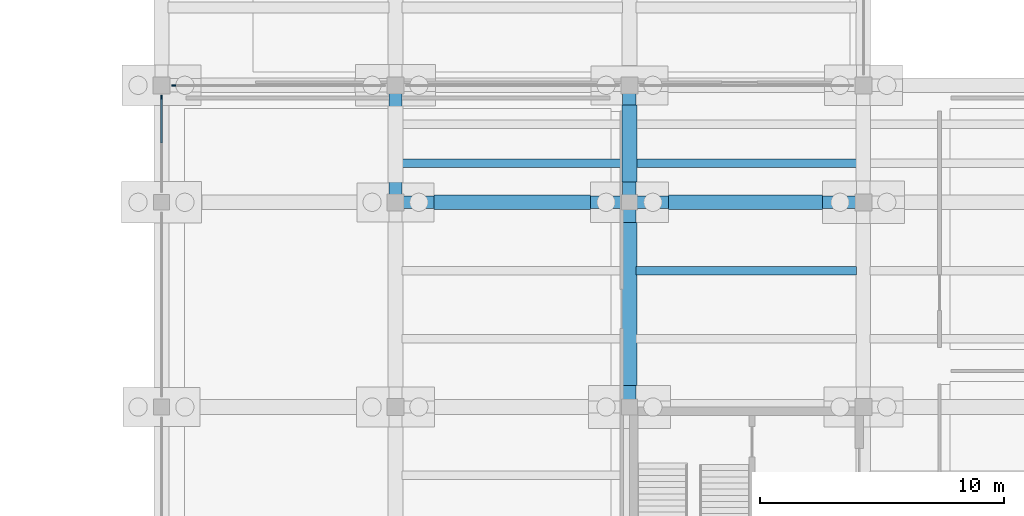
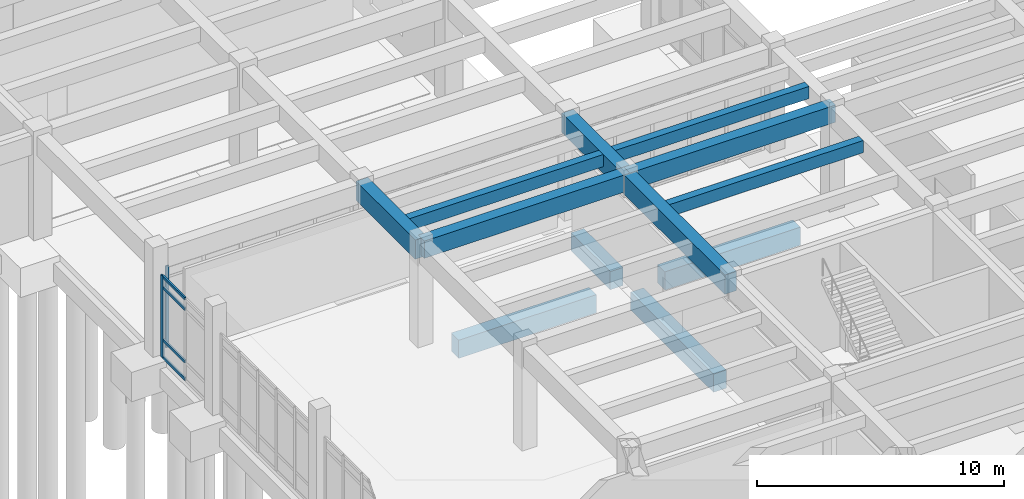
# One storey, part 50 of 102: 12 beams, 6 members, 2 elements without a shape of their own.
"""IFC4 building model written with IfcOpenShell, lengths in metres."""

from ifc_helpers import new_model, si_unit, direction, frame, origin, origin_2d, place, context, subcontext, project, spatial, rectangle, extrude, material, layer, layer_set, material_profile, profile_set, type_object, element, aggregate, save


model = new_model("IFC4")

# Units and contexts
model_context = context("Model", 3, precision=1e-05, world=origin(), true_north=direction((0.0, 1.0)))
body_context = subcontext(model_context, "Body", "Model", "MODEL_VIEW")
ifc_project = project(units=[si_unit("LENGTHUNIT", "METRE"), si_unit("AREAUNIT", "SQUARE_METRE"), si_unit("VOLUMEUNIT", "CUBIC_METRE"), si_unit("PLANEANGLEUNIT", "RADIAN"), si_unit("MASSUNIT", "GRAM", prefix="KILO")], contexts=[model_context])

# Site, building, storey
site_placement = place(None, origin())
site = spatial("IfcSite", under=ifc_project, at=site_placement, CompositionType="ELEMENT")
building_placement = place(site_placement, origin())
building = spatial("IfcBuilding", under=site, at=building_placement, Name="Kolvemor Railside Polytechnic", CompositionType="ELEMENT")
storey_placement = place(building_placement, origin())
storey = spatial("IfcBuildingStorey", under=building, at=storey_placement, Name="L00", CompositionType="ELEMENT", Elevation=0.0)

# Beams
ifc_material_1 = material(Name="Concrete C40/50", Category="concrete")
ifc_material_profile_1 = material_profile(ifc_material_1, rectangle(XDim=0.550048828125, YDim=0.949951171875, at=origin_2d()), Name="RC550x950")
ifc_profile_set_1 = profile_set([ifc_material_profile_1], Name="Concrete C40/50")
beam_type_1 = type_object("IfcBeamType", Name="BM-RC-GIRD", PredefinedType="BEAM", material=ifc_profile_set_1)
beam_1_placement = place(storey_placement, frame((144.0, 76.800048828125, 4.635009765625), z_axis=(0.0, 1.0, 0.0), x_axis=(-1.0, 0.0, 0.0)))
element("IfcBeam", 1, at=beam_1_placement, inside=storey, type_object=beam_type_1, Name="Primary Girder L01-GY 0386", PredefinedType="BEAM", context=body_context, shape_type="SweptSolid", body=[
    extrude(rectangle(XDim=0.550048828125, YDim=0.949951171875, at=origin_2d()), origin(), (0.0, 0.0, 1.0), 4.800048828125),
])
beam_2_placement = place(storey_placement, frame((153.60009765625, 68.39990234375, 4.635009765625), z_axis=(0.0, 1.0, 0.0), x_axis=(-1.0, 0.0, 0.0)))
element("IfcBeam", 2, at=beam_2_placement, inside=storey, type_object=beam_type_1, Name="Primary Girder L01-GY 0394", PredefinedType="BEAM", context=body_context, shape_type="SweptSolid", body=[
    extrude(rectangle(XDim=0.550048828125, YDim=0.949951171875, at=origin_2d()), origin(), (0.0, 0.0, 1.0), 8.400146484375),
])
beam_3_placement = place(storey_placement, frame((153.60009765625, 76.800048828125, 4.635009765625), z_axis=(0.0, 1.0, 0.0), x_axis=(-1.0, 0.0, 0.0)))
element("IfcBeam", 3, at=beam_3_placement, inside=storey, type_object=beam_type_1, Name="Primary Girder L01-GY 0395", PredefinedType="BEAM", context=body_context, shape_type="SweptSolid", body=[
    extrude(rectangle(XDim=0.550048828125, YDim=0.949951171875, at=origin_2d()), origin(), (0.0, 0.0, 1.0), 4.800048828125),
])
ifc_material_2 = material(Name="Concrete C40/50", Category="concrete")
ifc_material_profile_2 = material_profile(ifc_material_2, rectangle(XDim=0.5, YDim=0.85009765625, at=origin_2d()), Name="RC500x850")
ifc_profile_set_2 = profile_set([ifc_material_profile_2], Name="Concrete C40/50")
beam_type_2 = type_object("IfcBeamType", Name="BM-RC-GIRD3", PredefinedType="BEAM", material=ifc_profile_set_2)
beam_4_placement = place(storey_placement, frame((144.0, 76.800048828125, 4.68505859375), z_axis=(1.0, 0.0, 0.0), x_axis=(0.0, 1.0, 0.0)))
element("IfcBeam", 4, at=beam_4_placement, inside=storey, type_object=beam_type_2, Name="Primary Girder L01-GX 0370", PredefinedType="BEAM", context=body_context, shape_type="SweptSolid", body=[
    extrude(rectangle(XDim=0.5, YDim=0.85009765625, at=origin_2d()), origin(), (0.0, 0.0, 1.0), 9.60009765625),
])
beam_5_placement = place(storey_placement, frame((153.60009765625, 76.800048828125, 4.68505859375), z_axis=(1.0, 0.0, 0.0), x_axis=(0.0, 1.0, 0.0)))
element("IfcBeam", 5, at=beam_5_placement, inside=storey, type_object=beam_type_2, Name="Primary Girder L01-GX 0371", PredefinedType="BEAM", context=body_context, shape_type="SweptSolid", body=[
    extrude(rectangle(XDim=0.5, YDim=0.85009765625, at=origin_2d()), origin(), (0.0, 0.0, 1.0), 9.599853515625),
])
ifc_material_3 = material(Name="Concrete C40/50", Category="concrete")
ifc_material_profile_3 = material_profile(ifc_material_3, rectangle(XDim=0.35009765625, YDim=0.60009765625, at=origin_2d()), Name="RC350x600")
ifc_profile_set_3 = profile_set([ifc_material_profile_3], Name="Concrete C40/50")
beam_type_3 = type_object("IfcBeamType", Name="BM-RC-SEC3", PredefinedType="JOIST", material=ifc_profile_set_3)
for number, where, z_axis, x_axis, name in (
    (6, (144.27490234375, 78.39990234375, 4.81005859375), (1.0, 0.0, 0.0), (0.0, 1.0, 0.0), "Floor Joist L01-J0439"),
    (7, (153.875, 74.0, 4.81005859375), (1.0, 0.0, 0.0), (0.0, 1.0, 0.0), "Floor Joist L01-J0452"),
    (8, (153.875, 78.39990234375, 4.81005859375), (1.0, 0.0, 0.0), (0.0, 1.0, 0.0), "Floor Joist L01-J0453"),
):
    element("IfcBeam", number, at=place(storey_placement, frame(where, z_axis=z_axis, x_axis=x_axis)), inside=storey, type_object=beam_type_3, Name=name, PredefinedType="JOIST", context=body_context, shape_type="SweptSolid", body=[
        extrude(rectangle(XDim=0.35009765625, YDim=0.60009765625, at=origin_2d()), origin(), (0.0, 0.0, 1.0), 9.050048828125),
    ])
ifc_material_4 = material(Name="Concrete C40/50", Category="concrete")
ifc_material_profile_4 = material_profile(ifc_material_4, rectangle(XDim=0.60009765625, YDim=0.89990234375, at=origin_2d()), Name="RC600x900")
ifc_profile_set_4 = profile_set([ifc_material_profile_4], Name="Concrete C40/50")
beam_type_4 = type_object("IfcBeamType", Name="BM-RC-TIE", PredefinedType="BEAM", material=ifc_profile_set_4)
beam_6_placement = place(storey_placement, frame((145.576904296875, 76.800048828125, -0.75), z_axis=(1.0, 0.0, 0.0), x_axis=(0.0, 1.0, 0.0)))
element("IfcBeam", 9, at=beam_6_placement, inside=storey, type_object=beam_type_4, Name="Ground Tie Beam GTB-X171", PredefinedType="BEAM", context=body_context, shape_type="SweptSolid", body=[
    extrude(rectangle(XDim=0.60009765625, YDim=0.89990234375, at=origin_2d()), origin(), (0.0, 0.0, 1.0), 6.421142578125),
])
beam_7_placement = place(storey_placement, frame((155.201904296875, 76.800048828125, -0.75), z_axis=(1.0, 0.0, 0.0), x_axis=(0.0, 1.0, 0.0)))
element("IfcBeam", 10, at=beam_7_placement, inside=storey, type_object=beam_type_4, Name="Ground Tie Beam GTB-X172", PredefinedType="BEAM", context=body_context, shape_type="SweptSolid", body=[
    extrude(rectangle(XDim=0.60009765625, YDim=0.89990234375, at=origin_2d()), origin(), (0.0, 0.0, 1.0), 6.321044921875),
])
beam_8_placement = place(storey_placement, frame((153.60009765625, 69.277099609375, -0.75), z_axis=(0.0, 1.0, 0.0), x_axis=(-1.0, 0.0, 0.0)))
element("IfcBeam", 11, at=beam_8_placement, inside=storey, type_object=beam_type_4, Name="Ground Tie Beam GTB-Y412", PredefinedType="BEAM", context=body_context, shape_type="SweptSolid", body=[
    extrude(rectangle(XDim=0.60009765625, YDim=0.89990234375, at=origin_2d()), origin(), (0.0, 0.0, 1.0), 6.69580078125),
])
beam_9_placement = place(storey_placement, frame((153.60009765625, 77.626953125, -0.75), z_axis=(0.0, 1.0, 0.0), x_axis=(-1.0, 0.0, 0.0)))
element("IfcBeam", 12, at=beam_9_placement, inside=storey, type_object=beam_type_4, Name="Ground Tie Beam GTB-Y413", PredefinedType="BEAM", context=body_context, shape_type="SweptSolid", body=[
    extrude(rectangle(XDim=0.60009765625, YDim=0.89990234375, at=origin_2d()), origin(), (0.0, 0.0, 1.0), 3.171142578125),
])

# Curtain wall, member
ifc_material_5 = material(Name="Anodised marine aluminium and laminated low-E glass", Category="aluminium")
ifc_layer = layer(ifc_material_5, 0.179931640625, Name="CW-UNIT-STD")
ifc_layer_set = layer_set([ifc_layer], Name="Anodised marine aluminium and laminated low-E glass")
curtain_wall_type = type_object("IfcCurtainWallType", Name="CW-UNIT-STD", PredefinedType="USERDEFINED", material=ifc_layer_set)
curtain_wall_1_placement = place(storey_placement, origin())
curtain_wall_1 = element("IfcCurtainWall", 13, at=curtain_wall_1_placement, inside=storey, type_object=curtain_wall_type, Name="Curtain Wall L00-031", ObjectType="UNITISED CURTAIN WALL", PredefinedType="USERDEFINED")
ifc_material_6 = material(Name="Anodised marine aluminium 6063-T6", Category="aluminium")
ifc_material_profile_5 = material_profile(ifc_material_6, rectangle(XDim=0.06494140625, YDim=0.14990234375, at=origin_2d()), Name="CW-MUL-65x150")
ifc_profile_set_5 = profile_set([ifc_material_profile_5], Name="Anodised marine aluminium 6063-T6")
member_type_1 = type_object("IfcMemberType", Name="CWM-65x150", PredefinedType="MULLION", material=ifc_profile_set_5)
member_1_placement = place(storey_placement, frame((134.902587890625, 81.60009765625, 0.0), z_axis=(0.0, 0.0, 1.0), x_axis=(0.0, -1.0, 0.0)))
member_1 = element("IfcMember", 14, at=member_1_placement, type_object=member_type_1, Name="CW-STD mullion 6", PredefinedType="MULLION", context=body_context, shape_type="SweptSolid", body=[
    extrude(rectangle(XDim=0.06494140625, YDim=0.14990234375, at=origin_2d()), origin(), (0.0, 0.0, 1.0), 4.0400390625),
])
aggregate(curtain_wall_1, [member_1])

# Curtain wall, members
curtain_wall_2_placement = place(storey_placement, origin())
curtain_wall_2 = element("IfcCurtainWall", 15, at=curtain_wall_2_placement, inside=storey, type_object=curtain_wall_type, Name="Curtain Wall L00-092", ObjectType="UNITISED CURTAIN WALL", PredefinedType="USERDEFINED")
ifc_material_7 = material(Name="Anodised marine aluminium 6063-T6", Category="aluminium")
ifc_material_profile_6 = material_profile(ifc_material_7, rectangle(XDim=0.074951171875, YDim=0.179931640625, at=origin_2d()), Name="CW-MUL-75x180")
ifc_profile_set_6 = profile_set([ifc_material_profile_6], Name="Anodised marine aluminium 6063-T6")
member_type_2 = type_object("IfcMemberType", Name="CWM-75x180", PredefinedType="MULLION", material=ifc_profile_set_6)
member_2_placement = place(storey_placement, frame((134.39990234375, 81.092529296875, 0.0), z_axis=(0.0, 0.0, 1.0), x_axis=(1.0, 0.0, 0.0)))
member_2 = element("IfcMember", 16, at=member_2_placement, type_object=member_type_2, Name="CW-STD mullion 1", PredefinedType="MULLION", context=body_context, shape_type="SweptSolid", body=[
    extrude(rectangle(XDim=0.074951171875, YDim=0.179931640625, at=origin_2d()), origin(), (0.0, 0.0, 1.0), 4.0400390625),
])
ifc_material_8 = material(Name="Anodised marine aluminium 6063-T6", Category="aluminium")
ifc_material_profile_7 = material_profile(ifc_material_8, rectangle(XDim=0.074951171875, YDim=0.139892578125, at=origin_2d()), Name="CW-TRN-75x140")
ifc_profile_set_7 = profile_set([ifc_material_profile_7], Name="Anodised marine aluminium 6063-T6")
member_type_3 = type_object("IfcMemberType", Name="CWT-75x140", PredefinedType="USERDEFINED", material=ifc_profile_set_7)
member_3_placement = place(storey_placement, frame((134.39990234375, 81.054931640625, 0.03759765625), z_axis=(0.0, -1.0, 0.0), x_axis=(1.0, 0.0, 0.0)))
member_3 = element("IfcMember", 17, at=member_3_placement, type_object=member_type_3, Name="CW-STD transom 1.1", ObjectType="TRANSOM", PredefinedType="USERDEFINED", context=body_context, shape_type="SweptSolid", body=[
    extrude(rectangle(XDim=0.074951171875, YDim=0.139892578125, at=origin_2d()), origin(), (0.0, 0.0, 1.0), 1.8173828125),
])
member_4_placement = place(storey_placement, frame((134.39990234375, 81.054931640625, 0.89990234375), z_axis=(0.0, -1.0, 0.0), x_axis=(1.0, 0.0, 0.0)))
member_4 = element("IfcMember", 18, at=member_4_placement, type_object=member_type_3, Name="CW-STD transom 1.2", ObjectType="TRANSOM", PredefinedType="USERDEFINED", context=body_context, shape_type="SweptSolid", body=[
    extrude(rectangle(XDim=0.074951171875, YDim=0.139892578125, at=origin_2d()), origin(), (0.0, 0.0, 1.0), 1.8173828125),
])
member_5_placement = place(storey_placement, frame((134.39990234375, 81.054931640625, 3.489990234375), z_axis=(0.0, -1.0, 0.0), x_axis=(1.0, 0.0, 0.0)))
member_5 = element("IfcMember", 19, at=member_5_placement, type_object=member_type_3, Name="CW-STD transom 1.3", ObjectType="TRANSOM", PredefinedType="USERDEFINED", context=body_context, shape_type="SweptSolid", body=[
    extrude(rectangle(XDim=0.074951171875, YDim=0.139892578125, at=origin_2d()), origin(), (0.0, 0.0, 1.0), 1.8173828125),
])
member_6_placement = place(storey_placement, frame((134.39990234375, 81.054931640625, 4.00244140625), z_axis=(0.0, -1.0, 0.0), x_axis=(1.0, 0.0, 0.0)))
member_6 = element("IfcMember", 20, at=member_6_placement, type_object=member_type_3, Name="CW-STD transom 1.4", ObjectType="TRANSOM", PredefinedType="USERDEFINED", context=body_context, shape_type="SweptSolid", body=[
    extrude(rectangle(XDim=0.074951171875, YDim=0.139892578125, at=origin_2d()), origin(), (0.0, 0.0, 1.0), 1.8173828125),
])
aggregate(curtain_wall_2, [member_2, member_3, member_4, member_5, member_6])

save(model, "model.ifc")
